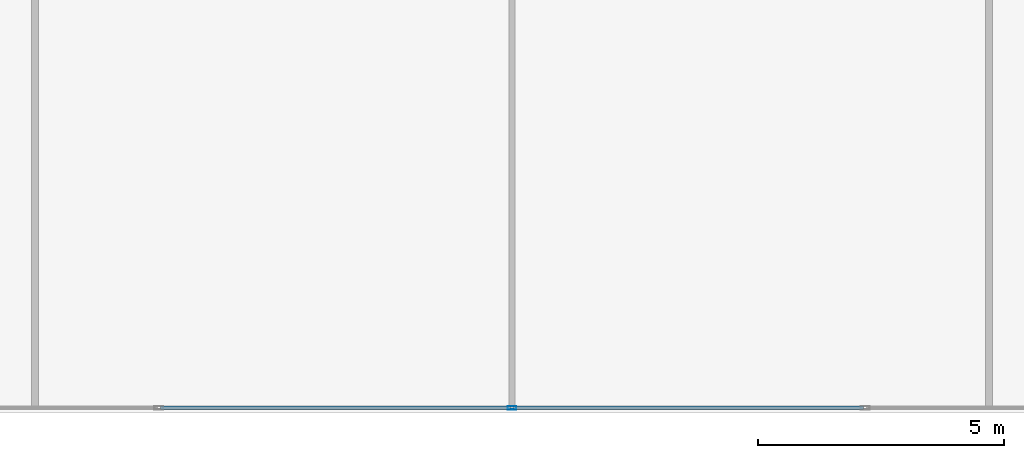
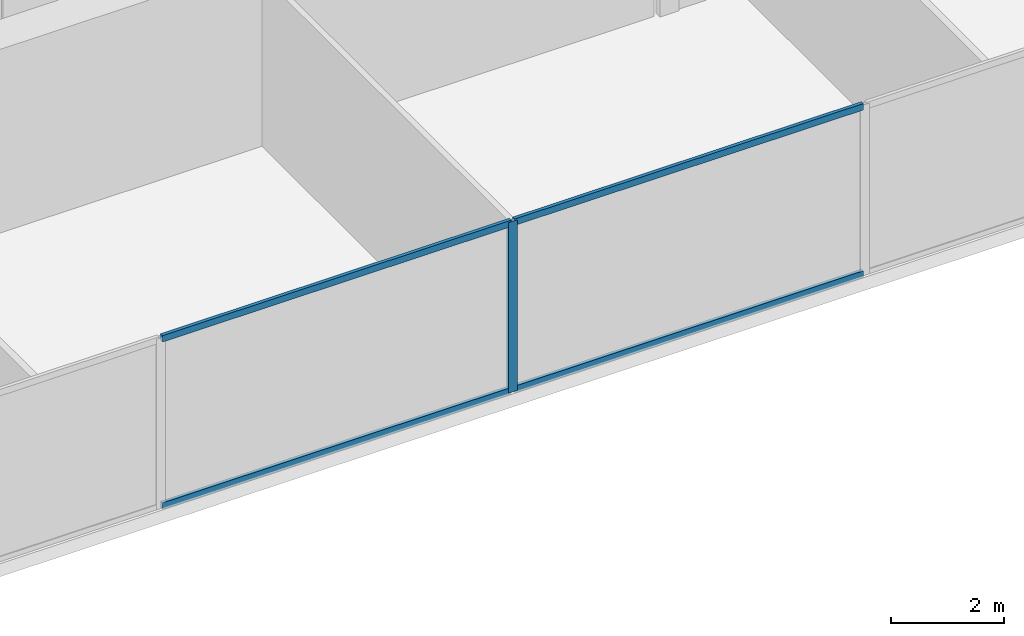
# One storey, part 6 of 28: 5 members, 1 element without a shape of its own.
"""IFC4 building model written with IfcOpenShell, lengths in metres."""

from ifc_helpers import new_model, si_unit, direction, frame, origin, origin_2d, place, context, subcontext, project, spatial, hollow_rectangle, extrude, source, transform, mapped, material, material_profile, profile_set, type_object, type_shapes, element, aggregate, save


model = new_model("IFC4")

# Units and contexts
model_context = context("Model", 3, precision=1e-05, world=origin(), true_north=direction((0.0, 1.0)))
body_context = subcontext(model_context, "Body", "Model", "MODEL_VIEW")
ifc_project = project(units=[si_unit("LENGTHUNIT", "METRE"), si_unit("AREAUNIT", "SQUARE_METRE"), si_unit("VOLUMEUNIT", "CUBIC_METRE"), si_unit("PLANEANGLEUNIT", "RADIAN"), si_unit("MASSUNIT", "GRAM", prefix="KILO")], contexts=[model_context])

# Site, building, storey
site_placement = place(None, origin())
site = spatial("IfcSite", under=ifc_project, at=site_placement, CompositionType="ELEMENT")
building_placement = place(site_placement, origin())
building = spatial("IfcBuilding", under=site, at=building_placement, Name="Krantzveldt Concourse Tower", CompositionType="ELEMENT")
storey_placement = place(building_placement, frame((0.0, 0.0, 32.89990234375)))
storey = spatial("IfcBuildingStorey", under=building, at=storey_placement, Name="L07", CompositionType="ELEMENT", Elevation=32.89990234375)

# Curtain wall, members
ifc_material = material(Name="Anodised aluminium 6063-T6", Category="aluminium")
curtain_wall_type = type_object("IfcCurtainWallType", Name="CW2", PredefinedType="USERDEFINED", material=ifc_material)
curtain_wall_placement = place(storey_placement, origin())
curtain_wall = element("IfcCurtainWall", 1, at=curtain_wall_placement, inside=storey, type_object=curtain_wall_type, Name="CW-L07-F04", ObjectType="UNITISED CURTAIN WALL", PredefinedType="USERDEFINED")
ifc_material_profile_1 = material_profile(ifc_material, hollow_rectangle(XDim=0.070068359375, YDim=0.139892578125, WallThickness=0.0048828125, at=origin_2d()), Name="Anodised aluminium 6063-T6", Category="aluminium")
ifc_profile_set_1 = profile_set([ifc_material_profile_1], Name="Anodised aluminium 6063-T6 - ALU-TRAN 140x70x5")
member_type_1 = type_object("IfcMemberType", Name="CW-TRN-150", PredefinedType="USERDEFINED", material=ifc_profile_set_1)
shared_shape_1 = source(origin(), body_context, "Body", "SweptSolid", [
    extrude(hollow_rectangle(XDim=0.070068359375, YDim=0.139892578125, WallThickness=0.0048828125, at=origin_2d()), origin(), (0.0, 0.0, 1.0), 7.0966796875),
])
type_shapes(member_type_1, [shared_shape_1])
member_1_placement = place(storey_placement, frame((28.868408203125, 1.7900390625, 0.03515625), z_axis=(1.0, 0.0, 0.0), x_axis=(0.0, 1.0, 0.0)))
member_1 = element("IfcMember", 2, at=member_1_placement, type_object=member_type_1, Name="CW-Z12 transom 3.1", ObjectType="TRANSOM", PredefinedType="USERDEFINED", context=body_context, shape_type="MappedRepresentation", body=[
    mapped(shared_shape_1, transform((0.0, 0.0, 0.0), x_axis=(1.0, 0.0, 0.0), y_axis=(0.0, 1.0, 0.0), z_axis=(0.0, 0.0, 1.0), scale=1.0)),
])
member_2_placement = place(storey_placement, frame((28.868408203125, 1.7900390625, 3.635009765625), z_axis=(1.0, 0.0, 0.0), x_axis=(0.0, 1.0, 0.0)))
member_2 = element("IfcMember", 3, at=member_2_placement, type_object=member_type_1, Name="CW-Z12 transom 3.2", ObjectType="TRANSOM", PredefinedType="USERDEFINED", context=body_context, shape_type="MappedRepresentation", body=[
    mapped(shared_shape_1, transform((0.0, 0.0, 0.0), x_axis=(1.0, 0.0, 0.0), y_axis=(0.0, 1.0, 0.0), z_axis=(0.0, 0.0, 1.0), scale=1.0)),
])
member_3_placement = place(storey_placement, frame((36.034912109375, 1.7900390625, 0.03515625), z_axis=(1.0, 0.0, 0.0), x_axis=(0.0, 1.0, 0.0)))
member_3 = element("IfcMember", 4, at=member_3_placement, type_object=member_type_1, Name="CW-Z12 transom 4.1", ObjectType="TRANSOM", PredefinedType="USERDEFINED", context=body_context, shape_type="MappedRepresentation", body=[
    mapped(shared_shape_1, transform((0.0, 0.0, 0.0), x_axis=(1.0, 0.0, 0.0), y_axis=(0.0, 1.0, 0.0), z_axis=(0.0, 0.0, 1.0), scale=1.0)),
])
member_4_placement = place(storey_placement, frame((36.034912109375, 1.7900390625, 3.635009765625), z_axis=(1.0, 0.0, 0.0), x_axis=(0.0, 1.0, 0.0)))
member_4 = element("IfcMember", 5, at=member_4_placement, type_object=member_type_1, Name="CW-Z12 transom 4.2", ObjectType="TRANSOM", PredefinedType="USERDEFINED", context=body_context, shape_type="MappedRepresentation", body=[
    mapped(shared_shape_1, transform((0.0, 0.0, 0.0), x_axis=(1.0, 0.0, 0.0), y_axis=(0.0, 1.0, 0.0), z_axis=(0.0, 0.0, 1.0), scale=1.0)),
])
ifc_material_profile_2 = material_profile(ifc_material, hollow_rectangle(XDim=0.070068359375, YDim=0.179931640625, WallThickness=0.0048828125, at=origin_2d()), Name="Anodised aluminium 6063-T6", Category="aluminium")
ifc_profile_set_2 = profile_set([ifc_material_profile_2], Name="Anodised aluminium 6063-T6 - ALU-MULL 180x70x5")
member_type_2 = type_object("IfcMemberType", Name="CW-MUL-180", PredefinedType="MULLION", material=ifc_profile_set_2)
shared_shape_2 = source(origin(), body_context, "Body", "SweptSolid", [
    extrude(hollow_rectangle(XDim=0.070068359375, YDim=0.179931640625, WallThickness=0.0048828125, at=origin_2d()), origin(), (0.0, 0.0, 1.0), 3.670166015625),
])
type_shapes(member_type_2, [shared_shape_2])
member_5_placement = place(storey_placement, frame((36.0, 1.7900390625, 0.0), z_axis=(0.0, 0.0, 1.0), x_axis=(0.0, 1.0, 0.0)))
member_5 = element("IfcMember", 6, at=member_5_placement, type_object=member_type_2, Name="CW-Z12 mullion 4", PredefinedType="MULLION", context=body_context, shape_type="MappedRepresentation", body=[
    mapped(shared_shape_2, transform((0.0, 0.0, 0.0), x_axis=(1.0, 0.0, 0.0), y_axis=(0.0, 1.0, 0.0), z_axis=(0.0, 0.0, 1.0), scale=1.0)),
])
aggregate(curtain_wall, [member_5, member_1, member_2, member_3, member_4])

save(model, "model.ifc")
